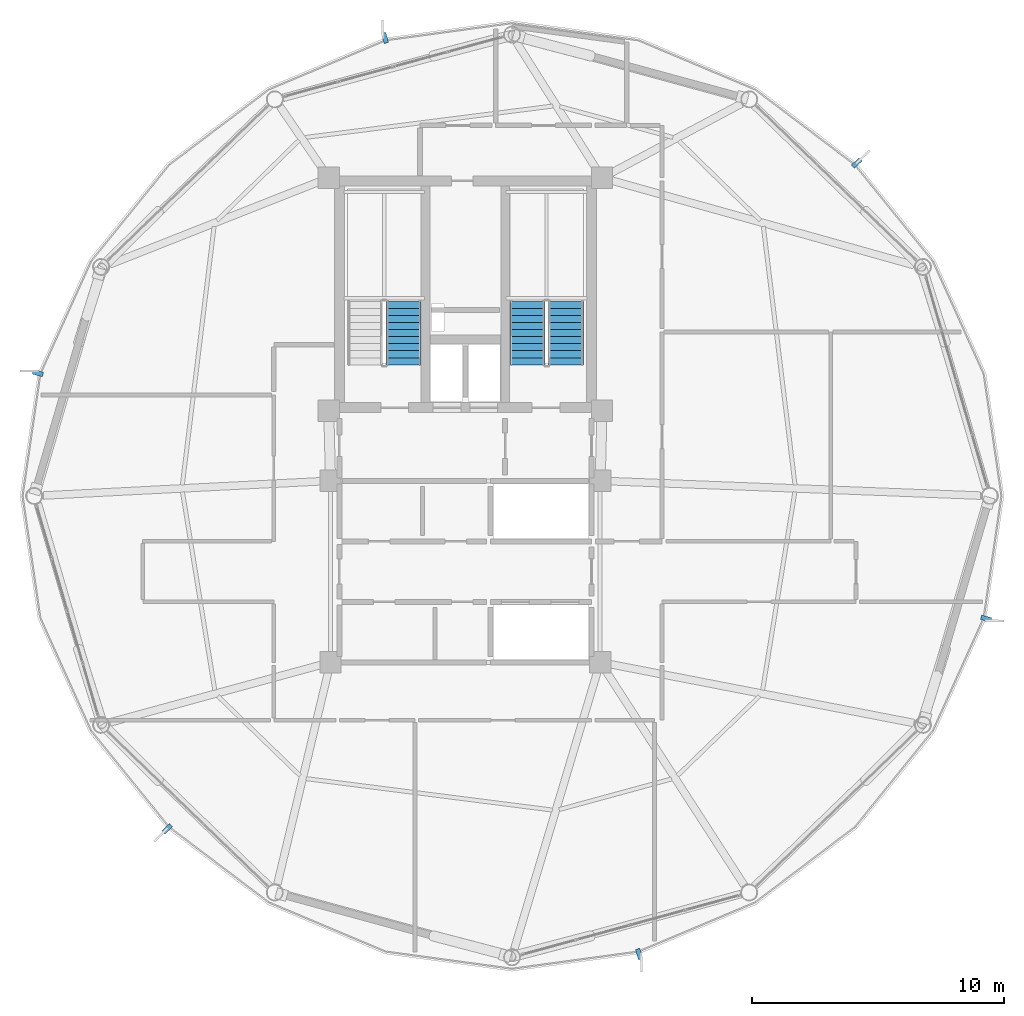
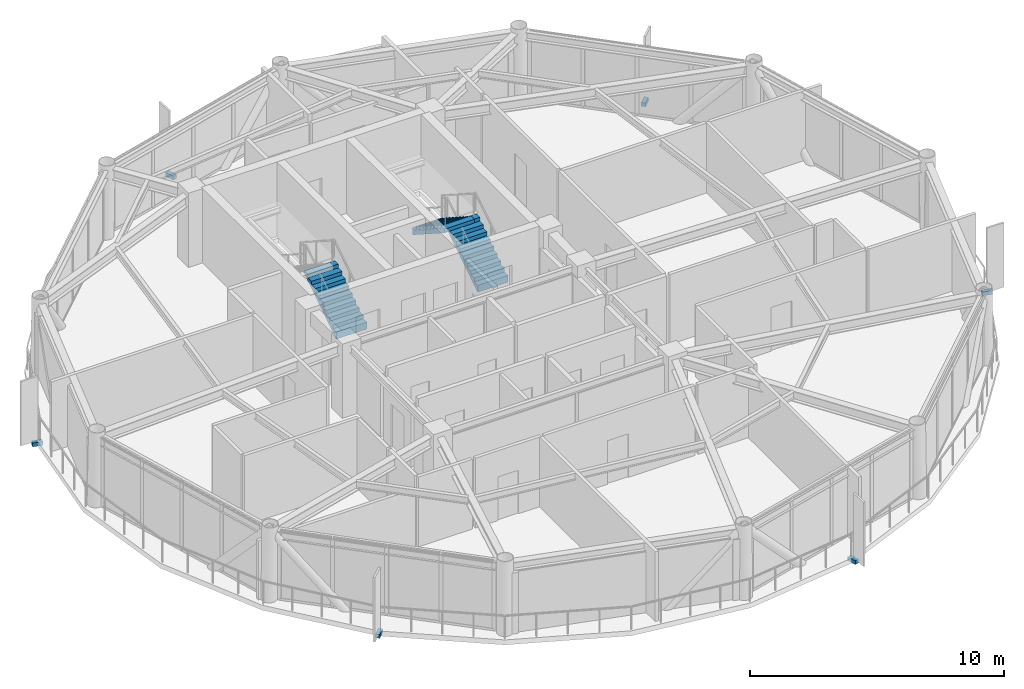
# One storey, part 23 of 26: 6 discrete accessories, 3 stair flights, 2 elements without a shape of their own.
"""IFC4 building model written with IfcOpenShell, lengths in metres."""

import ifcopenshell
import ifcopenshell.guid

model = None  # the IFC model being written
_history = None  # IfcOwnerHistory: only IFC2X3 demands one
_inside = {}  # id of a spatial element -> (the spatial element, [elements in it])
_under = {}  # id of a project, library or spatial element -> (it, [spatial elements below it])
_declared = {}  # id of a project -> (the project, [libraries it declares])
_typed = {}  # id of a type object -> (the type object, [elements of that type])
_made_of = {}  # id of a material, layer set ... -> (it, [elements and type objects made of it])


def new_model(schema):
    """Start an empty IFC model of exactly this schema.

    Asked for "IFC4X3", IfcOpenShell would pick the latest addendum, in which some entities
    have other attributes; the version numbers below select the first issue.
    IFC2X3 requires an IfcOwnerHistory on every rooted entity: one is made here for all.
    """
    global model, _history
    if schema == "IFC4X3":
        model = ifcopenshell.file(schema_version=(4, 3, 0, 0))
    else:
        model = ifcopenshell.file(schema=schema)
    _inside.clear()
    _under.clear()
    _declared.clear()
    _typed.clear()
    _made_of.clear()
    _history = None
    if model.schema == "IFC2X3":
        org = make("IfcOrganization", Name="unknown")
        user = make(
            "IfcPersonAndOrganization",
            ThePerson=make("IfcPerson", FamilyName="unknown"),
            TheOrganization=org,
        )
        app = make(
            "IfcApplication",
            ApplicationDeveloper=org,
            Version="unknown",
            ApplicationFullName="unknown",
            ApplicationIdentifier="unknown",
        )
        _history = make(
            "IfcOwnerHistory",
            OwningUser=user,
            OwningApplication=app,
            ChangeAction="ADDED",
            CreationDate=0,
        )
    return model


def make(cls, **values):
    """One entity of the class cls with the attributes given. An attribute that is None is left unset."""
    return model.create_entity(
        cls, **{name: value for name, value in values.items() if value is not None}
    )


def rooted(cls, **values):
    """An entity with a GlobalId (a new one), such as an element, a storey or a relation."""
    return make(cls, GlobalId=ifcopenshell.guid.new(), OwnerHistory=_history, **values)


def si_unit(unit_type, name, prefix=None):
    """IfcSIUnit, for example si_unit("LENGTHUNIT", "METRE", prefix="MILLI")."""
    return make("IfcSIUnit", UnitType=unit_type, Prefix=prefix, Name=name)


def assignment(units):
    """IfcUnitAssignment: the units of a project."""
    return None if units is None else make("IfcUnitAssignment", Units=units)


def point(xyz):
    """IfcCartesianPoint."""
    return None if xyz is None else make("IfcCartesianPoint", Coordinates=xyz)


def direction(xyz):
    """IfcDirection."""
    return None if xyz is None else make("IfcDirection", DirectionRatios=xyz)


def frame(location, z_axis=None, x_axis=None):
    """IfcAxis2Placement3D, a coordinate frame: its origin and axes. An axis left out is left unset."""
    return make(
        "IfcAxis2Placement3D",
        Location=point(location),
        Axis=direction(z_axis),
        RefDirection=direction(x_axis),
    )


def frame_2d(location, x_axis=None):
    """IfcAxis2Placement2D, a coordinate frame in the plane: its origin and x axis."""
    return make(
        "IfcAxis2Placement2D", Location=point(location), RefDirection=direction(x_axis)
    )


def origin():
    """The frame at (0, 0, 0) with its axes left unset."""
    return frame((0.0, 0.0, 0.0))


def origin_2d():
    """The frame at (0, 0) in the plane with its x axis left unset."""
    return frame_2d((0.0, 0.0))


def place(relative_to, where):
    """IfcLocalPlacement: puts the frame where relative to a parent placement (None: the world)."""
    return make(
        "IfcLocalPlacement", PlacementRelTo=relative_to, RelativePlacement=where
    )


def context(
    kind, dimensions, precision=None, world=None, true_north=None, identifier=None
):
    """IfcGeometricRepresentationContext, for example the 3D "Model" context."""
    return make(
        "IfcGeometricRepresentationContext",
        ContextIdentifier=identifier,
        ContextType=kind,
        CoordinateSpaceDimension=dimensions,
        Precision=precision,
        WorldCoordinateSystem=world,
        TrueNorth=true_north,
    )


def subcontext(parent, identifier, kind, view, scale=None):
    """IfcGeometricRepresentationSubContext, for example "Body" below "Model"."""
    return make(
        "IfcGeometricRepresentationSubContext",
        ContextIdentifier=identifier,
        ContextType=kind,
        ParentContext=parent,
        TargetScale=scale,
        TargetView=view,
    )


def project(units=None, contexts=None):
    """IfcProject with its units and contexts."""
    return rooted(
        "IfcProject",
        Name="project",
        RepresentationContexts=contexts,
        UnitsInContext=assignment(units),
    )


def spatial(cls, under=None, at=None, **own):
    """A site, building, storey or space (cls), placed at a placement, below another one or the project."""
    s = rooted(cls, ObjectPlacement=at, **own)
    if under is not None:
        _under.setdefault(under.id(), (under, []))[1].append(s)
    return s


def polyline(points):
    """IfcPolyline through the points."""
    return make("IfcPolyline", Points=[point(p) for p in points])


def profile(cls, at=None, kind="AREA", **sizes):
    """A parametric profile (cls). Its sizes go by their IFC names, for example OverallWidth=200.0."""
    return make(cls, ProfileType=kind, Position=at, **sizes)


def rectangle(**sizes):
    """IfcRectangleProfileDef."""
    return profile("IfcRectangleProfileDef", **sizes)


def outline(outer, holes=None, kind="AREA"):
    """IfcArbitraryClosedProfileDef: a profile drawn as a closed curve; with holes, ...WithVoids."""
    if holes is None:
        return make("IfcArbitraryClosedProfileDef", ProfileType=kind, OuterCurve=outer)
    return make(
        "IfcArbitraryProfileDefWithVoids",
        ProfileType=kind,
        OuterCurve=outer,
        InnerCurves=holes,
    )


def extrude(swept, where, along, depth):
    """IfcExtrudedAreaSolid: the profile swept, set in the frame where, extruded along a direction by depth."""
    return make(
        "IfcExtrudedAreaSolid",
        SweptArea=swept,
        Position=where,
        ExtrudedDirection=direction(along),
        Depth=depth,
    )


def shape(context_of_items, identifier, shape_type, items):
    """IfcShapeRepresentation: the items that make up one representation, for example the "Body"."""
    return make(
        "IfcShapeRepresentation",
        ContextOfItems=context_of_items,
        RepresentationIdentifier=identifier,
        RepresentationType=shape_type,
        Items=items,
    )


def source(mapping_origin, context_of_items, identifier, shape_type, items):
    """IfcRepresentationMap: a shape defined once, which mapped items show again and again."""
    return make(
        "IfcRepresentationMap",
        MappingOrigin=mapping_origin,
        MappedRepresentation=shape(context_of_items, identifier, shape_type, items),
    )


def transform(
    local_origin,
    x_axis=None,
    y_axis=None,
    z_axis=None,
    scale=None,
    scale2=None,
    scale3=None,
    uniform=True,
):
    """IfcCartesianTransformationOperator3D, or its non-uniform kind. x_axis, y_axis, z_axis: its Axis1, 2, 3."""
    if uniform:
        return make(
            "IfcCartesianTransformationOperator3D",
            Axis1=direction(x_axis),
            Axis2=direction(y_axis),
            LocalOrigin=point(local_origin),
            Scale=scale,
            Axis3=direction(z_axis),
        )
    return make(
        "IfcCartesianTransformationOperator3DnonUniform",
        Axis1=direction(x_axis),
        Axis2=direction(y_axis),
        LocalOrigin=point(local_origin),
        Scale=scale,
        Axis3=direction(z_axis),
        Scale2=scale2,
        Scale3=scale3,
    )


def mapped(mapping_source, mapping_target):
    """IfcMappedItem: shows the shape of a source again, moved by a transform."""
    return make(
        "IfcMappedItem", MappingSource=mapping_source, MappingTarget=mapping_target
    )


def material(Name=None, Category=None):
    """IfcMaterial."""
    return make("IfcMaterial", Name=Name, Category=Category)


def made_of(thing, what):
    """Note that an element or type object is made of a material, layer set ...; save() writes the relation."""
    if what is not None:
        _made_of.setdefault(what.id(), (what, []))[1].append(thing)
    return thing


def type_object(cls, material=None, **own):
    """A type object (cls), such as IfcWallType, which elements share."""
    return made_of(rooted(cls, **own), material)


def type_shapes(of_type, sources):
    """Give a type object the sources (RepresentationMaps) that its elements show as mapped items."""
    of_type.RepresentationMaps = sources


def element(
    cls,
    number,
    at=None,
    inside=None,
    cuts=None,
    type_object=None,
    material=None,
    context=None,
    identifier="Body",
    shape_type=None,
    held_by="IfcProductDefinitionShape",
    body=None,
    shapes=None,
    **own,
):
    """One element of the class cls, such as IfcWall. Its Tag is "e" and its number.

    at: its placement. inside: the storey or other place that contains it. cuts: it is an
    opening in that element (IfcRelVoidsElement). A single representation is given by context,
    identifier, shape_type and body (its items); several are given by shapes. held_by: the class
    of the entity that holds the representations. save() writes the other relations.
    """
    e = rooted(cls, Tag="e%d" % number, ObjectPlacement=at, **own)
    if body is not None:
        shapes = [shape(context, identifier, shape_type, body)]
    if shapes is not None:
        e.Representation = make(held_by, Representations=shapes)
    if inside is not None:
        _inside.setdefault(inside.id(), (inside, []))[1].append(e)
    if cuts is not None:
        rooted(
            "IfcRelVoidsElement", RelatingBuildingElement=cuts, RelatedOpeningElement=e
        )
    if type_object is not None:
        _typed.setdefault(type_object.id(), (type_object, []))[1].append(e)
    return made_of(e, material)


def aggregate(whole, parts):
    """IfcRelAggregates: a whole, such as a stair, and the parts it consists of."""
    return rooted("IfcRelAggregates", RelatingObject=whole, RelatedObjects=parts)


def save(model, path):
    """Write the relations noted so far, then the file.

    IfcRelAggregates (storeys below a building ...), IfcRelContainedInSpatialStructure (elements
    in a storey), IfcRelDefinesByType, IfcRelAssociatesMaterial and IfcRelDeclares: one each for
    every whole, place, type object, material and project.
    """
    for whole, parts in _under.values():
        aggregate(whole, parts)
    for where, things in _inside.values():
        rooted(
            "IfcRelContainedInSpatialStructure",
            RelatedElements=things,
            RelatingStructure=where,
        )
    for kind, things in _typed.values():
        rooted("IfcRelDefinesByType", RelatedObjects=things, RelatingType=kind)
    for what, things in _made_of.values():
        rooted("IfcRelAssociatesMaterial", RelatedObjects=things, RelatingMaterial=what)
    for by, libraries in _declared.values():
        rooted("IfcRelDeclares", RelatingContext=by, RelatedDefinitions=libraries)
    model.write(path)


model = new_model("IFC4")

# Units and contexts
model_context = context("Model", 3, precision=1e-05, world=origin(), true_north=direction((0.0, 1.0)))
body_context = subcontext(model_context, "Body", "Model", "MODEL_VIEW")
ifc_project = project(units=[si_unit("LENGTHUNIT", "METRE"), si_unit("AREAUNIT", "SQUARE_METRE"), si_unit("VOLUMEUNIT", "CUBIC_METRE"), si_unit("PLANEANGLEUNIT", "RADIAN"), si_unit("MASSUNIT", "GRAM", prefix="KILO")], contexts=[model_context])

# Site, building, storey
site_placement = place(None, origin())
site = spatial("IfcSite", under=ifc_project, at=site_placement, CompositionType="ELEMENT")
building_placement = place(site_placement, origin())
building = spatial("IfcBuilding", under=site, at=building_placement, Name="Varnakorn Sky Granary", CompositionType="ELEMENT")
storey_placement = place(building_placement, frame((0.0, 0.0, 222.0)))
storey = spatial("IfcBuildingStorey", under=building, at=storey_placement, Name="L56", CompositionType="ELEMENT", Elevation=222.0)

# Stair, stair flight
ifc_material_1 = material(Name="Concrete C40/50", Category="concrete")
stair_type = type_object("IfcStairType", Name="ST-MAIN-ASSEMBLY", PredefinedType="HALF_TURN_STAIR", material=ifc_material_1)
stair_1_placement = place(storey_placement, origin())
stair_1 = element("IfcStair", 1, at=stair_1_placement, inside=storey, type_object=stair_type, Name="L56 Protected Exit Stair ST-1", PredefinedType="HALF_TURN_STAIR")
stair_flight_type = type_object("IfcStairFlightType", Name="ST-MAIN-FLIGHT", PredefinedType="STRAIGHT", material=ifc_material_1)
stair_flight_1_placement = place(storey_placement, frame((0.550048828125, 5.199951171875, 0.0), z_axis=(0.0, 0.0, 1.0), x_axis=(0.0, 1.0, 0.0)))
stair_flight_1 = element("IfcStairFlight", 2, at=stair_flight_1_placement, type_object=stair_flight_type, Name="ST-1 flight 1", NumberOfRisers=10, NumberOfTreads=9, PredefinedType="STRAIGHT", RiserHeight=0.18, TreadLength=0.28, context=body_context, shape_type="SweptSolid", body=[
    extrude(outline(polyline([(0.0, -0.14990234375), (0.0, 0.0), (0.0, 0.179931640625), (0.280029296875, 0.179931640625), (0.280029296875, 0.360107421875), (0.56005859375, 0.360107421875), (0.56005859375, 0.5400390625), (0.840087890625, 0.5400390625), (0.840087890625, 0.719970703125), (1.1201171875, 0.719970703125), (1.1201171875, 0.89990234375), (1.39990234375, 0.89990234375), (1.39990234375, 1.080078125), (1.679931640625, 1.080078125), (1.679931640625, 1.260009765625), (1.9599609375, 1.260009765625), (1.9599609375, 1.43994140625), (2.239990234375, 1.43994140625), (2.239990234375, 1.6201171875), (2.52001953125, 1.6201171875), (2.52001953125, 1.800048828125), (2.52001953125, 1.44189453125), (0.050048828125, -0.14990234375), (0.0, -0.14990234375)])), frame((0.0, 0.68994140625, 0.0), z_axis=(0.0, -1.0, 0.0), x_axis=(1.0, 0.0, 0.0)), (0.0, 0.0, 1.0), 1.3798828125),
])
aggregate(stair_1, [stair_flight_1])

# Stair, stair flights
stair_2_placement = place(storey_placement, origin())
stair_2 = element("IfcStair", 3, at=stair_2_placement, inside=storey, type_object=stair_type, Name="L56 Protected Exit Stair ST-2", PredefinedType="HALF_TURN_STAIR")
stair_flight_2_placement = place(storey_placement, frame((6.989990234375, 5.199951171875, 0.0), z_axis=(0.0, 0.0, 1.0), x_axis=(0.0, 1.0, 0.0)))
stair_flight_2 = element("IfcStairFlight", 4, at=stair_flight_2_placement, type_object=stair_flight_type, Name="ST-2 flight 1", NumberOfRisers=10, NumberOfTreads=9, PredefinedType="STRAIGHT", RiserHeight=0.18, TreadLength=0.28, context=body_context, shape_type="SweptSolid", body=[
    extrude(outline(polyline([(0.0, -0.14990234375), (0.0, 0.0), (0.0, 0.179931640625), (0.280029296875, 0.179931640625), (0.280029296875, 0.360107421875), (0.56005859375, 0.360107421875), (0.56005859375, 0.5400390625), (0.840087890625, 0.5400390625), (0.840087890625, 0.719970703125), (1.1201171875, 0.719970703125), (1.1201171875, 0.89990234375), (1.39990234375, 0.89990234375), (1.39990234375, 1.080078125), (1.679931640625, 1.080078125), (1.679931640625, 1.260009765625), (1.9599609375, 1.260009765625), (1.9599609375, 1.43994140625), (2.239990234375, 1.43994140625), (2.239990234375, 1.6201171875), (2.52001953125, 1.6201171875), (2.52001953125, 1.800048828125), (2.52001953125, 1.44189453125), (0.050048828125, -0.14990234375), (0.0, -0.14990234375)])), frame((0.0, 0.68994140625, 0.0), z_axis=(0.0, -1.0, 0.0), x_axis=(1.0, 0.0, 0.0)), (0.0, 0.0, 1.0), 1.3798828125),
])
stair_flight_3_placement = place(storey_placement, frame((5.4599609375, 7.719970703125, 1.800048828125), z_axis=(0.0, 0.0, 1.0), x_axis=(0.0, -1.0, 0.0)))
stair_flight_3 = element("IfcStairFlight", 5, at=stair_flight_3_placement, type_object=stair_flight_type, Name="ST-2 flight 2", NumberOfRisers=10, NumberOfTreads=9, PredefinedType="STRAIGHT", RiserHeight=0.18, TreadLength=0.28, context=body_context, shape_type="SweptSolid", body=[
    extrude(outline(polyline([(0.0, -0.14990234375), (0.0, 0.0), (0.0, 0.179931640625), (0.280029296875, 0.179931640625), (0.280029296875, 0.360107421875), (0.56005859375, 0.360107421875), (0.56005859375, 0.5400390625), (0.840087890625, 0.5400390625), (0.840087890625, 0.719970703125), (1.1201171875, 0.719970703125), (1.1201171875, 0.89990234375), (1.39990234375, 0.89990234375), (1.39990234375, 1.080078125), (1.679931640625, 1.080078125), (1.679931640625, 1.260009765625), (1.9599609375, 1.260009765625), (1.9599609375, 1.43994140625), (2.239990234375, 1.43994140625), (2.239990234375, 1.6201171875), (2.52001953125, 1.6201171875), (2.52001953125, 1.800048828125), (2.52001953125, 1.44189453125), (0.050048828125, -0.14990234375), (0.0, -0.14990234375)])), frame((0.0, 0.68994140625, 0.0), z_axis=(0.0, -1.0, 0.0), x_axis=(1.0, 0.0, 0.0)), (0.0, 0.0, 1.0), 1.3798828125),
])
aggregate(stair_2, [stair_flight_2, stair_flight_3])

# Discrete accessories
ifc_material_2 = material(Name="Steel S355JR", Category="steel")
discrete_accessory_type = type_object("IfcDiscreteAccessoryType", Name="AC-BRK-01", PredefinedType="BRACKET", material=ifc_material_2)
shared_shape = source(origin(), body_context, "Body", "SweptSolid", [
    extrude(rectangle(XDim=0.179931640625, YDim=0.419921875, at=origin_2d()), origin(), (0.0, 0.0, 1.0), 0.179931640625),
])
type_shapes(discrete_accessory_type, [shared_shape])
for number, where, z_axis, x_axis, name in (
    (6, (18.526123046875, 13.207275390625, -0.2001953125), (0.0, 0.0, 1.0), (-0.694666207028, 0.719332232569, 0.0), "Facade Solar-Screen Outrigger Bracket L56-02"),
    (7, (-0.19140625, 18.173583984375, -0.2001953125), (0.0, 0.0, 1.0), (-0.963612952615, -0.267301473159, 0.0), "Facade Solar-Screen Outrigger Bracket L56-04"),
    (8, (-13.960693359375, 4.86865234375, -0.2001953125), (0.0, 0.0, 1.0), (-0.250568017771, -0.968098997247, 0.0), "Facade Solar-Screen Outrigger Bracket L56-06"),
    (9, (-8.826171875, -13.207275390625, -0.2001953125), (0.0, 0.0, 1.0), (0.694666207028, -0.719332232569, 0.0), "Facade Solar-Screen Outrigger Bracket L56-08"),
    (10, (9.891357421875, -18.173583984375, -0.2001953125), (0.0, 0.0, 1.0), (0.963612952615, 0.267301473159, 0.0), "Facade Solar-Screen Outrigger Bracket L56-10"),
    (11, (23.66064453125, -4.86865234375, -0.2001953125), (0.0, 0.0, 1.0), (0.250568017771, 0.968098997247, 0.0), "Facade Solar-Screen Outrigger Bracket L56-12"),
):
    element("IfcDiscreteAccessory", number, at=place(storey_placement, frame(where, z_axis=z_axis, x_axis=x_axis)), inside=storey, type_object=discrete_accessory_type, Name=name, PredefinedType="BRACKET", context=body_context, shape_type="MappedRepresentation", body=[
        mapped(shared_shape, transform((0.0, 0.0, 0.0), x_axis=(1.0, 0.0, 0.0), y_axis=(0.0, 1.0, 0.0), z_axis=(0.0, 0.0, 1.0), scale=1.0)),
    ])

save(model, "model.ifc")
